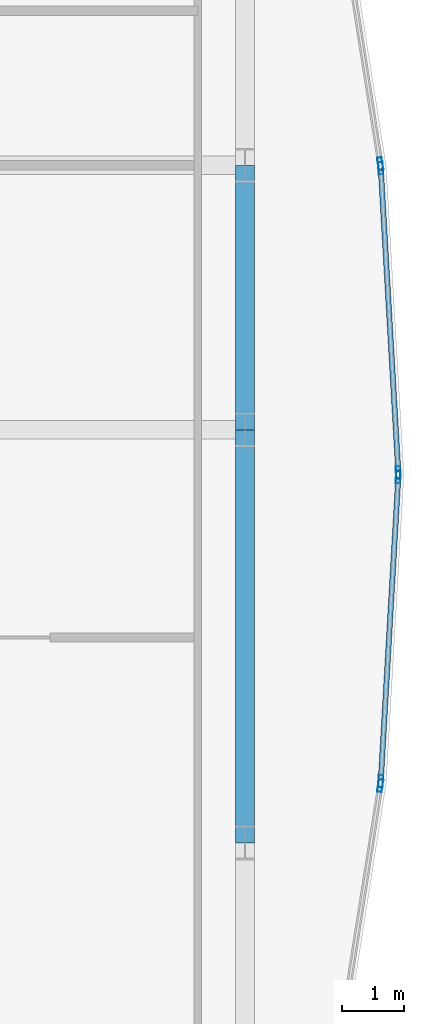
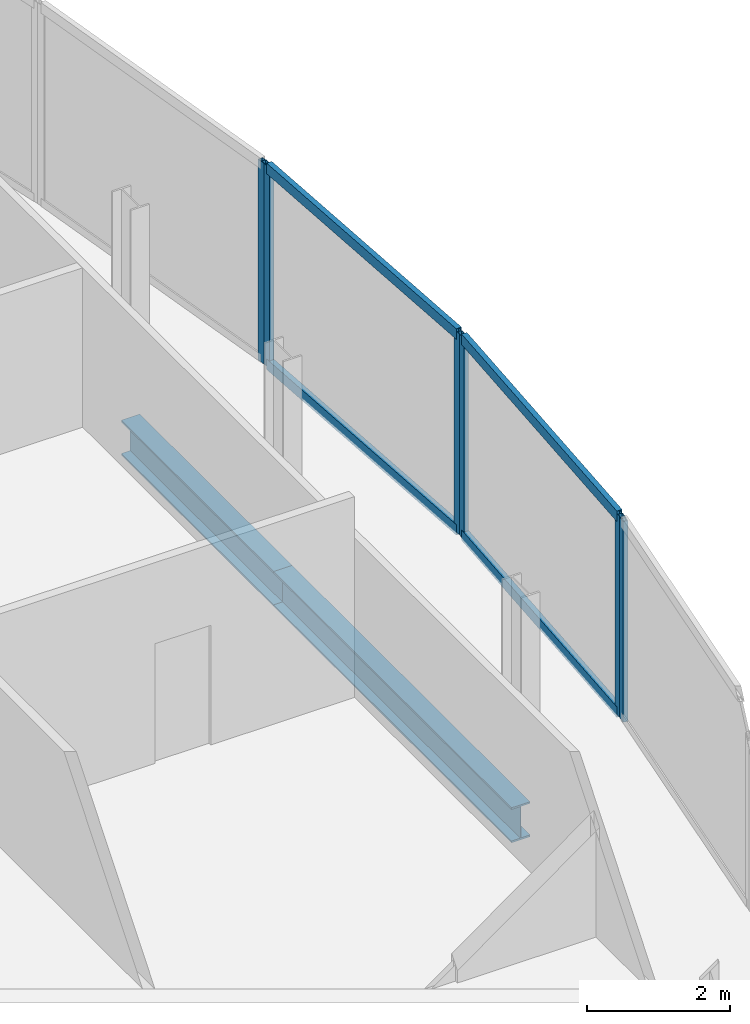
# One storey, part 22 of 32: 10 members, 2 beams, 4 elements without a shape of their own.
"""IFC4 building model written with IfcOpenShell, lengths in metres."""

import ifcopenshell
import ifcopenshell.guid

model = None  # the IFC model being written
_history = None  # IfcOwnerHistory: only IFC2X3 demands one
_inside = {}  # id of a spatial element -> (the spatial element, [elements in it])
_under = {}  # id of a project, library or spatial element -> (it, [spatial elements below it])
_declared = {}  # id of a project -> (the project, [libraries it declares])
_typed = {}  # id of a type object -> (the type object, [elements of that type])
_made_of = {}  # id of a material, layer set ... -> (it, [elements and type objects made of it])


def new_model(schema):
    """Start an empty IFC model of exactly this schema.

    Asked for "IFC4X3", IfcOpenShell would pick the latest addendum, in which some entities
    have other attributes; the version numbers below select the first issue.
    IFC2X3 requires an IfcOwnerHistory on every rooted entity: one is made here for all.
    """
    global model, _history
    if schema == "IFC4X3":
        model = ifcopenshell.file(schema_version=(4, 3, 0, 0))
    else:
        model = ifcopenshell.file(schema=schema)
    _inside.clear()
    _under.clear()
    _declared.clear()
    _typed.clear()
    _made_of.clear()
    _history = None
    if model.schema == "IFC2X3":
        org = make("IfcOrganization", Name="unknown")
        user = make(
            "IfcPersonAndOrganization",
            ThePerson=make("IfcPerson", FamilyName="unknown"),
            TheOrganization=org,
        )
        app = make(
            "IfcApplication",
            ApplicationDeveloper=org,
            Version="unknown",
            ApplicationFullName="unknown",
            ApplicationIdentifier="unknown",
        )
        _history = make(
            "IfcOwnerHistory",
            OwningUser=user,
            OwningApplication=app,
            ChangeAction="ADDED",
            CreationDate=0,
        )
    return model


def make(cls, **values):
    """One entity of the class cls with the attributes given. An attribute that is None is left unset."""
    return model.create_entity(
        cls, **{name: value for name, value in values.items() if value is not None}
    )


def rooted(cls, **values):
    """An entity with a GlobalId (a new one), such as an element, a storey or a relation."""
    return make(cls, GlobalId=ifcopenshell.guid.new(), OwnerHistory=_history, **values)


def si_unit(unit_type, name, prefix=None):
    """IfcSIUnit, for example si_unit("LENGTHUNIT", "METRE", prefix="MILLI")."""
    return make("IfcSIUnit", UnitType=unit_type, Prefix=prefix, Name=name)


def assignment(units):
    """IfcUnitAssignment: the units of a project."""
    return None if units is None else make("IfcUnitAssignment", Units=units)


def point(xyz):
    """IfcCartesianPoint."""
    return None if xyz is None else make("IfcCartesianPoint", Coordinates=xyz)


def direction(xyz):
    """IfcDirection."""
    return None if xyz is None else make("IfcDirection", DirectionRatios=xyz)


def frame(location, z_axis=None, x_axis=None):
    """IfcAxis2Placement3D, a coordinate frame: its origin and axes. An axis left out is left unset."""
    return make(
        "IfcAxis2Placement3D",
        Location=point(location),
        Axis=direction(z_axis),
        RefDirection=direction(x_axis),
    )


def frame_2d(location, x_axis=None):
    """IfcAxis2Placement2D, a coordinate frame in the plane: its origin and x axis."""
    return make(
        "IfcAxis2Placement2D", Location=point(location), RefDirection=direction(x_axis)
    )


def origin():
    """The frame at (0, 0, 0) with its axes left unset."""
    return frame((0.0, 0.0, 0.0))


def origin_2d():
    """The frame at (0, 0) in the plane with its x axis left unset."""
    return frame_2d((0.0, 0.0))


def place(relative_to, where):
    """IfcLocalPlacement: puts the frame where relative to a parent placement (None: the world)."""
    return make(
        "IfcLocalPlacement", PlacementRelTo=relative_to, RelativePlacement=where
    )


def context(
    kind, dimensions, precision=None, world=None, true_north=None, identifier=None
):
    """IfcGeometricRepresentationContext, for example the 3D "Model" context."""
    return make(
        "IfcGeometricRepresentationContext",
        ContextIdentifier=identifier,
        ContextType=kind,
        CoordinateSpaceDimension=dimensions,
        Precision=precision,
        WorldCoordinateSystem=world,
        TrueNorth=true_north,
    )


def subcontext(parent, identifier, kind, view, scale=None):
    """IfcGeometricRepresentationSubContext, for example "Body" below "Model"."""
    return make(
        "IfcGeometricRepresentationSubContext",
        ContextIdentifier=identifier,
        ContextType=kind,
        ParentContext=parent,
        TargetScale=scale,
        TargetView=view,
    )


def project(units=None, contexts=None):
    """IfcProject with its units and contexts."""
    return rooted(
        "IfcProject",
        Name="project",
        RepresentationContexts=contexts,
        UnitsInContext=assignment(units),
    )


def spatial(cls, under=None, at=None, **own):
    """A site, building, storey or space (cls), placed at a placement, below another one or the project."""
    s = rooted(cls, ObjectPlacement=at, **own)
    if under is not None:
        _under.setdefault(under.id(), (under, []))[1].append(s)
    return s


def profile(cls, at=None, kind="AREA", **sizes):
    """A parametric profile (cls). Its sizes go by their IFC names, for example OverallWidth=200.0."""
    return make(cls, ProfileType=kind, Position=at, **sizes)


def hollow_rectangle(**sizes):
    """IfcRectangleHollowProfileDef."""
    return profile("IfcRectangleHollowProfileDef", **sizes)


def i_section(**sizes):
    """IfcIShapeProfileDef."""
    return profile("IfcIShapeProfileDef", **sizes)


def extrude(swept, where, along, depth):
    """IfcExtrudedAreaSolid: the profile swept, set in the frame where, extruded along a direction by depth."""
    return make(
        "IfcExtrudedAreaSolid",
        SweptArea=swept,
        Position=where,
        ExtrudedDirection=direction(along),
        Depth=depth,
    )


def shape(context_of_items, identifier, shape_type, items):
    """IfcShapeRepresentation: the items that make up one representation, for example the "Body"."""
    return make(
        "IfcShapeRepresentation",
        ContextOfItems=context_of_items,
        RepresentationIdentifier=identifier,
        RepresentationType=shape_type,
        Items=items,
    )


def material(Name=None, Category=None):
    """IfcMaterial."""
    return make("IfcMaterial", Name=Name, Category=Category)


def material_profile(
    of_material, cross_section, Name=None, Category=None, Priority=None
):
    """IfcMaterialProfile: a cross section and its material."""
    return make(
        "IfcMaterialProfile",
        Name=Name,
        Material=of_material,
        Profile=cross_section,
        Priority=Priority,
        Category=Category,
    )


def profile_set(profiles, Name=None, composite=None):
    """IfcMaterialProfileSet."""
    return make(
        "IfcMaterialProfileSet",
        Name=Name,
        MaterialProfiles=profiles,
        CompositeProfile=composite,
    )


def made_of(thing, what):
    """Note that an element or type object is made of a material, layer set ...; save() writes the relation."""
    if what is not None:
        _made_of.setdefault(what.id(), (what, []))[1].append(thing)
    return thing


def type_object(cls, material=None, **own):
    """A type object (cls), such as IfcWallType, which elements share."""
    return made_of(rooted(cls, **own), material)


def element(
    cls,
    number,
    at=None,
    inside=None,
    cuts=None,
    type_object=None,
    material=None,
    context=None,
    identifier="Body",
    shape_type=None,
    held_by="IfcProductDefinitionShape",
    body=None,
    shapes=None,
    **own,
):
    """One element of the class cls, such as IfcWall. Its Tag is "e" and its number.

    at: its placement. inside: the storey or other place that contains it. cuts: it is an
    opening in that element (IfcRelVoidsElement). A single representation is given by context,
    identifier, shape_type and body (its items); several are given by shapes. held_by: the class
    of the entity that holds the representations. save() writes the other relations.
    """
    e = rooted(cls, Tag="e%d" % number, ObjectPlacement=at, **own)
    if body is not None:
        shapes = [shape(context, identifier, shape_type, body)]
    if shapes is not None:
        e.Representation = make(held_by, Representations=shapes)
    if inside is not None:
        _inside.setdefault(inside.id(), (inside, []))[1].append(e)
    if cuts is not None:
        rooted(
            "IfcRelVoidsElement", RelatingBuildingElement=cuts, RelatedOpeningElement=e
        )
    if type_object is not None:
        _typed.setdefault(type_object.id(), (type_object, []))[1].append(e)
    return made_of(e, material)


def aggregate(whole, parts):
    """IfcRelAggregates: a whole, such as a stair, and the parts it consists of."""
    return rooted("IfcRelAggregates", RelatingObject=whole, RelatedObjects=parts)


def save(model, path):
    """Write the relations noted so far, then the file.

    IfcRelAggregates (storeys below a building ...), IfcRelContainedInSpatialStructure (elements
    in a storey), IfcRelDefinesByType, IfcRelAssociatesMaterial and IfcRelDeclares: one each for
    every whole, place, type object, material and project.
    """
    for whole, parts in _under.values():
        aggregate(whole, parts)
    for where, things in _inside.values():
        rooted(
            "IfcRelContainedInSpatialStructure",
            RelatedElements=things,
            RelatingStructure=where,
        )
    for kind, things in _typed.values():
        rooted("IfcRelDefinesByType", RelatedObjects=things, RelatingType=kind)
    for what, things in _made_of.values():
        rooted("IfcRelAssociatesMaterial", RelatedObjects=things, RelatingMaterial=what)
    for by, libraries in _declared.values():
        rooted("IfcRelDeclares", RelatingContext=by, RelatedDefinitions=libraries)
    model.write(path)


model = new_model("IFC4")

# Units and contexts
model_context = context("Model", 3, precision=1e-05, world=origin(), true_north=direction((0.0, 1.0)))
body_context = subcontext(model_context, "Body", "Model", "MODEL_VIEW")
ifc_project = project(units=[si_unit("LENGTHUNIT", "METRE"), si_unit("AREAUNIT", "SQUARE_METRE"), si_unit("VOLUMEUNIT", "CUBIC_METRE"), si_unit("PLANEANGLEUNIT", "RADIAN"), si_unit("MASSUNIT", "GRAM", prefix="KILO")], contexts=[model_context])

# Site, building, storey
site_placement = place(None, origin())
site = spatial("IfcSite", under=ifc_project, at=site_placement, CompositionType="ELEMENT")
building_placement = place(site_placement, origin())
building = spatial("IfcBuilding", under=site, at=building_placement, Name="Khoronbel Lancet Exchange", CompositionType="ELEMENT")
storey_placement = place(building_placement, frame((0.0, 0.0, 111.0)))
storey = spatial("IfcBuildingStorey", under=building, at=storey_placement, Name="L26", CompositionType="ELEMENT", Elevation=111.0)

# Beams
ifc_material_1 = material(Name="Steel S355", Category="steel")
ifc_material_profile_1 = material_profile(ifc_material_1, i_section(OverallWidth=0.300048828125, OverallDepth=0.60009765625, WebThickness=0.015380859375, FlangeThickness=0.030029296875, at=origin_2d()), Name="HEB 600")
ifc_profile_set_1 = profile_set([ifc_material_profile_1], Name="Steel S355")
beam_type = type_object("IfcBeamType", Name="BM-BSP2", PredefinedType="SPANDREL", material=ifc_profile_set_1)
beam_1_placement = place(storey_placement, frame((69.6298828125, 24.75, -0.4599609375), z_axis=(0.0, 1.0, 0.0), x_axis=(-1.0, 0.0, 0.0)))
element("IfcBeam", 1, at=beam_1_placement, inside=storey, type_object=beam_type, Name="Level L26 perimeter spandrel beam SP12", PredefinedType="SPANDREL", context=body_context, shape_type="SweptSolid", body=[
    extrude(i_section(OverallWidth=0.300048828125, OverallDepth=0.60009765625, WebThickness=0.015380859375, FlangeThickness=0.030029296875, at=origin_2d()), origin(), (0.0, 0.0, 1.0), 6.675048828125),
])
beam_2_placement = place(storey_placement, frame((69.6298828125, 31.425048828125, -0.4599609375), z_axis=(0.0, 1.0, 0.0), x_axis=(-1.0, 0.0, 0.0)))
element("IfcBeam", 2, at=beam_2_placement, inside=storey, type_object=beam_type, Name="Level L26 perimeter spandrel beam SP13", PredefinedType="SPANDREL", context=body_context, shape_type="SweptSolid", body=[
    extrude(i_section(OverallWidth=0.300048828125, OverallDepth=0.60009765625, WebThickness=0.015380859375, FlangeThickness=0.030029296875, at=origin_2d()), origin(), (0.0, 0.0, 1.0), 4.27490234375),
])

# Curtain wall, member
ifc_material_2 = material(Name="Low-E Solar Control Insulating Glass", Category="glass")
curtain_wall_type = type_object("IfcCurtainWallType", Name="CW-4", PredefinedType="NOTDEFINED", material=ifc_material_2)
curtain_wall_1_placement = place(storey_placement, origin())
curtain_wall_1 = element("IfcCurtainWall", 3, at=curtain_wall_1_placement, inside=storey, type_object=curtain_wall_type, Name="Unitised curtain wall CW-L26-E18", PredefinedType="NOTDEFINED")
ifc_material_3 = material(Name="Bronze-Anodised Aluminium 6063-T6", Category="aluminium")
ifc_material_profile_2 = material_profile(ifc_material_3, hollow_rectangle(XDim=0.074951171875, YDim=0.199951171875, WallThickness=0.0048828125, at=origin_2d()), Name="ALU MULLION 75x200")
ifc_profile_set_2 = profile_set([ifc_material_profile_2], Name="Bronze-Anodised Aluminium 6063-T6")
member_type_1 = type_object("IfcMemberType", Name="MEM-CWM2", PredefinedType="MULLION", material=ifc_profile_set_2)
member_1_placement = place(storey_placement, frame((71.816650390625, 35.7275390625, 0.0), z_axis=(0.0, 0.0, 1.0), x_axis=(0.987838563117, 0.155483031933, 0.0)))
member_1 = element("IfcMember", 4, at=member_1_placement, type_object=member_type_1, Name="CW4 mullion 2", PredefinedType="MULLION", context=body_context, shape_type="SweptSolid", body=[
    extrude(hollow_rectangle(XDim=0.074951171875, YDim=0.199951171875, WallThickness=0.0048828125, at=origin_2d()), origin(), (0.0, 0.0, 1.0), 3.43994140625),
])
aggregate(curtain_wall_1, [member_1])

# Curtain wall, members
curtain_wall_2_placement = place(storey_placement, origin())
curtain_wall_2 = element("IfcCurtainWall", 5, at=curtain_wall_2_placement, inside=storey, type_object=curtain_wall_type, Name="Unitised curtain wall CW-L26-E19", PredefinedType="NOTDEFINED")
member_2_placement = place(storey_placement, frame((71.824462890625, 35.653076171875, 0.0), z_axis=(0.0, 0.0, 1.0), x_axis=(0.998344628145, 0.057515245397, 0.0)))
member_2 = element("IfcMember", 6, at=member_2_placement, type_object=member_type_1, Name="CW4 mullion 1", PredefinedType="MULLION", context=body_context, shape_type="SweptSolid", body=[
    extrude(hollow_rectangle(XDim=0.074951171875, YDim=0.199951171875, WallThickness=0.0048828125, at=origin_2d()), origin(), (0.0, 0.0, 1.0), 3.43994140625),
])
member_3_placement = place(storey_placement, frame((72.107666015625, 30.737548828125, 0.0), z_axis=(0.0, 0.0, 1.0), x_axis=(0.998344628145, 0.057515245397, 0.0)))
member_3 = element("IfcMember", 7, at=member_3_placement, type_object=member_type_1, Name="CW4 mullion 2", PredefinedType="MULLION", context=body_context, shape_type="SweptSolid", body=[
    extrude(hollow_rectangle(XDim=0.074951171875, YDim=0.199951171875, WallThickness=0.0048828125, at=origin_2d()), origin(), (0.0, 0.0, 1.0), 3.43994140625),
])

curtain_wall_3_placement = place(storey_placement, origin())
curtain_wall_3 = element("IfcCurtainWall", 8, at=curtain_wall_3_placement, inside=storey, type_object=curtain_wall_type, Name="Unitised curtain wall CW-L26-E20", PredefinedType="NOTDEFINED")
member_4_placement = place(storey_placement, frame((72.107666015625, 30.66259765625, 0.0), z_axis=(0.0, 0.0, 1.0), x_axis=(0.998344628145, -0.057515245397, 0.0)))
member_4 = element("IfcMember", 9, at=member_4_placement, type_object=member_type_1, Name="CW4 mullion 1", PredefinedType="MULLION", context=body_context, shape_type="SweptSolid", body=[
    extrude(hollow_rectangle(XDim=0.074951171875, YDim=0.199951171875, WallThickness=0.0048828125, at=origin_2d()), origin(), (0.0, 0.0, 1.0), 3.43994140625),
])
member_5_placement = place(storey_placement, frame((71.824462890625, 25.7470703125, 0.0), z_axis=(0.0, 0.0, 1.0), x_axis=(0.998344628145, -0.057515245397, 0.0)))
member_5 = element("IfcMember", 10, at=member_5_placement, type_object=member_type_1, Name="CW4 mullion 2", PredefinedType="MULLION", context=body_context, shape_type="SweptSolid", body=[
    extrude(hollow_rectangle(XDim=0.074951171875, YDim=0.199951171875, WallThickness=0.0048828125, at=origin_2d()), origin(), (0.0, 0.0, 1.0), 3.43994140625),
])

# Curtain wall, member
curtain_wall_4_placement = place(storey_placement, origin())
curtain_wall_4 = element("IfcCurtainWall", 11, at=curtain_wall_4_placement, inside=storey, type_object=curtain_wall_type, Name="Unitised curtain wall CW-L26-E21", PredefinedType="NOTDEFINED")
member_6_placement = place(storey_placement, frame((71.816650390625, 25.672607421875, 0.0), z_axis=(0.0, 0.0, 1.0), x_axis=(0.987838563117, -0.155483031933, 0.0)))
member_6 = element("IfcMember", 12, at=member_6_placement, type_object=member_type_1, Name="CW4 mullion 1", PredefinedType="MULLION", context=body_context, shape_type="SweptSolid", body=[
    extrude(hollow_rectangle(XDim=0.074951171875, YDim=0.199951171875, WallThickness=0.0048828125, at=origin_2d()), origin(), (0.0, 0.0, 1.0), 3.43994140625),
])
aggregate(curtain_wall_4, [member_6])

# Member
ifc_material_profile_3 = material_profile(ifc_material_3, hollow_rectangle(XDim=0.0849609375, YDim=0.179931640625, WallThickness=0.0048828125, at=origin_2d()), Name="ALU TRANSOM 85x180")
ifc_profile_set_3 = profile_set([ifc_material_profile_3], Name="Bronze-Anodised Aluminium 6063-T6")
member_type_2 = type_object("IfcMemberType", Name="MEM-CWT1", PredefinedType="USERDEFINED", material=ifc_profile_set_3)
member_7_placement = place(storey_placement, frame((71.82666015625, 35.615478515625, 0.04248046875), z_axis=(0.057502919061, -0.998345338197, 0.0), x_axis=(0.998345338197, 0.057502919061, 0.0)))
member_7 = element("IfcMember", 13, at=member_7_placement, type_object=member_type_2, Name="CW4 transom 1.1", ObjectType="TRANSOM", PredefinedType="USERDEFINED", context=body_context, shape_type="SweptSolid", body=[
    extrude(hollow_rectangle(XDim=0.0849609375, YDim=0.179931640625, WallThickness=0.0048828125, at=origin_2d()), origin(), (0.0, 0.0, 1.0), 4.8486328125),
])

member_8_placement = place(storey_placement, frame((71.82666015625, 35.615478515625, 3.3974609375), z_axis=(0.057502919061, -0.998345338197, 0.0), x_axis=(0.998345338197, 0.057502919061, 0.0)))
member_8 = element("IfcMember", 14, at=member_8_placement, type_object=member_type_2, Name="CW4 transom 1.2", ObjectType="TRANSOM", PredefinedType="USERDEFINED", context=body_context, shape_type="SweptSolid", body=[
    extrude(hollow_rectangle(XDim=0.0849609375, YDim=0.179931640625, WallThickness=0.0048828125, at=origin_2d()), origin(), (0.0, 0.0, 1.0), 4.8486328125),
])

aggregate(curtain_wall_2, [member_2, member_3, member_7, member_8])

member_9_placement = place(storey_placement, frame((72.10546875, 30.625244140625, 0.04248046875), z_axis=(-0.057500028563, -0.99834550468, 0.0), x_axis=(0.99834550468, -0.057500028563, 0.0)))
member_9 = element("IfcMember", 15, at=member_9_placement, type_object=member_type_2, Name="CW4 transom 1.1", ObjectType="TRANSOM", PredefinedType="USERDEFINED", context=body_context, shape_type="SweptSolid", body=[
    extrude(hollow_rectangle(XDim=0.0849609375, YDim=0.179931640625, WallThickness=0.0048828125, at=origin_2d()), origin(), (0.0, 0.0, 1.0), 4.848876953125),
])

member_10_placement = place(storey_placement, frame((72.10546875, 30.625244140625, 3.3974609375), z_axis=(-0.057500028563, -0.99834550468, 0.0), x_axis=(0.99834550468, -0.057500028563, 0.0)))
member_10 = element("IfcMember", 16, at=member_10_placement, type_object=member_type_2, Name="CW4 transom 1.2", ObjectType="TRANSOM", PredefinedType="USERDEFINED", context=body_context, shape_type="SweptSolid", body=[
    extrude(hollow_rectangle(XDim=0.0849609375, YDim=0.179931640625, WallThickness=0.0048828125, at=origin_2d()), origin(), (0.0, 0.0, 1.0), 4.848876953125),
])

aggregate(curtain_wall_3, [member_4, member_5, member_9, member_10])

save(model, "model.ifc")
